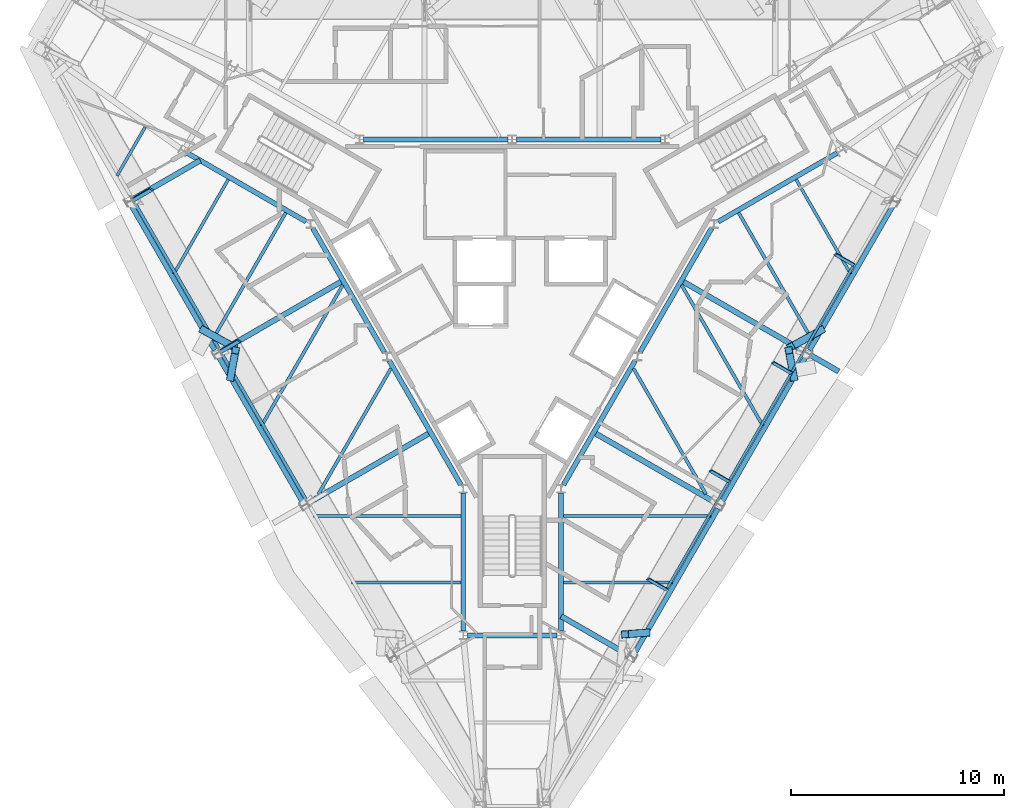
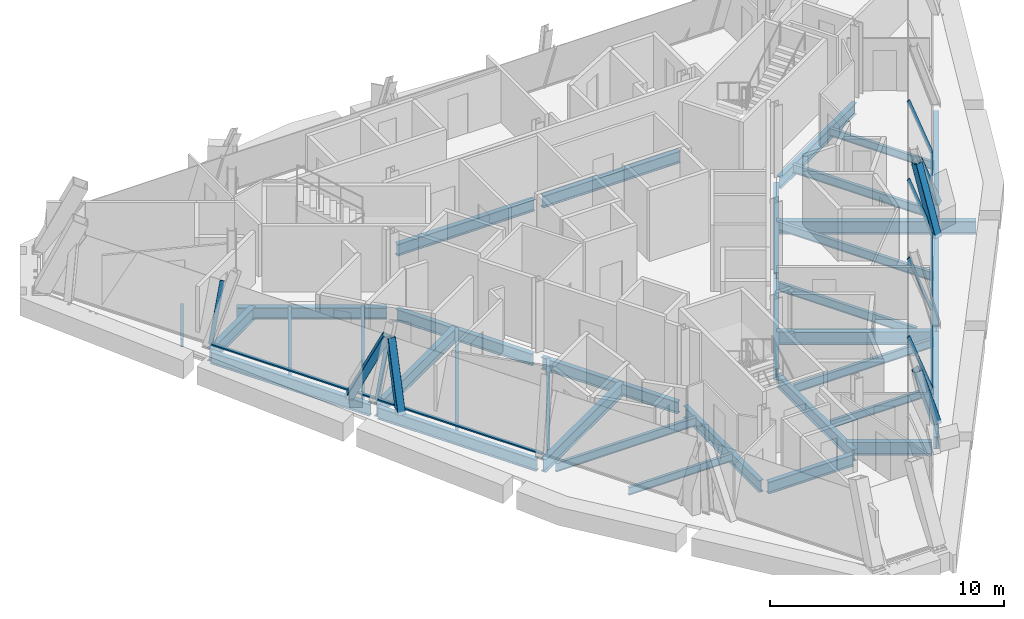
# One storey, part 2 of 13: 36 beams, 16 members, 2 elements without a shape of their own.
"""IFC4 building model written with IfcOpenShell, lengths in metres."""

from ifc_helpers import new_model, si_unit, direction, frame, origin, origin_2d, place, context, subcontext, project, spatial, rectangle, hollow_rectangle, i_section, extrude, material, material_profile, profile_set, type_object, element, aggregate, save


model = new_model("IFC4")

# Units and contexts
model_context = context("Model", 3, precision=1e-05, world=origin(), true_north=direction((0.0, 1.0)))
body_context = subcontext(model_context, "Body", "Model", "MODEL_VIEW")
ifc_project = project(units=[si_unit("LENGTHUNIT", "METRE"), si_unit("AREAUNIT", "SQUARE_METRE"), si_unit("VOLUMEUNIT", "CUBIC_METRE"), si_unit("PLANEANGLEUNIT", "RADIAN"), si_unit("MASSUNIT", "GRAM", prefix="KILO")], contexts=[model_context])

# Site, building, storey
site_placement = place(None, origin())
site = spatial("IfcSite", under=ifc_project, at=site_placement, CompositionType="ELEMENT")
building_placement = place(site_placement, origin())
building = spatial("IfcBuilding", under=site, at=building_placement, Name="Verrane Prism Tower", CompositionType="ELEMENT")
storey_placement = place(building_placement, frame((0.0, 0.0, 304.699951171875)))
storey = spatial("IfcBuildingStorey", under=building, at=storey_placement, Name="L77", CompositionType="ELEMENT", Elevation=304.699951171875)

# Beams
ifc_material_1 = material(Name="Steel A992", Category="steel")
ifc_material_profile_1 = material_profile(ifc_material_1, i_section(OverallWidth=0.23046875, OverallDepth=0.6171875, WebThickness=0.01318359375, FlangeThickness=0.022216796875, FilletRadius=0.012939453125, at=origin_2d()), Name="W24x94")
ifc_profile_set_1 = profile_set([ifc_material_profile_1], Name="Steel A992")
beam_type_1 = type_object("IfcBeamType", Name="Core ring girder W24x94", PredefinedType="BEAM", material=ifc_profile_set_1)
beam_1_placement = place(storey_placement, frame((9.679443359375, 2.93505859375, -0.55859375), z_axis=(0.866080992722, 0.499903704773, 0.0), x_axis=(-0.499903704773, 0.866080992722, 0.0)))
element("IfcBeam", 1, at=beam_1_placement, inside=storey, type_object=beam_type_1, Name="Core ring girder L77", PredefinedType="BEAM", context=body_context, shape_type="SweptSolid", body=[
    extrude(i_section(OverallWidth=0.23046875, OverallDepth=0.6171875, WebThickness=0.01318359375, FlangeThickness=0.022216796875, FilletRadius=0.012939453125, at=origin_2d()), origin(), (0.0, 0.0, 1.0), 6.451904296875),
])
for number, where, z_axis, x_axis, name in (
    (2, (6.980712890625, 6.800048828125, -0.55859375), (-1.0, 0.0, 0.0), (0.0, -1.0, 0.0), "Core ring girder L77"),
    (3, (-0.199462890625, 6.800048828125, -0.55859375), (-1.0, 0.0, 0.0), (0.0, -1.0, 0.0), "Core ring girder L77"),
):
    element("IfcBeam", number, at=place(storey_placement, frame(where, z_axis=z_axis, x_axis=x_axis)), inside=storey, type_object=beam_type_1, Name=name, PredefinedType="BEAM", context=body_context, shape_type="SweptSolid", body=[
        extrude(i_section(OverallWidth=0.23046875, OverallDepth=0.6171875, WebThickness=0.01318359375, FlangeThickness=0.022216796875, FilletRadius=0.012939453125, at=origin_2d()), origin(), (0.0, 0.0, 1.0), 6.78125),
    ])
beam_2_placement = place(storey_placement, frame((-15.267333984375, 6.160400390625, -0.55859375), z_axis=(0.866080992722, -0.499903704773, 0.0), x_axis=(0.499903704773, 0.866080992722, 0.0)))
element("IfcBeam", 4, at=beam_2_placement, inside=storey, type_object=beam_type_1, Name="Core ring girder L77", PredefinedType="BEAM", context=body_context, shape_type="SweptSolid", body=[
    extrude(i_section(OverallWidth=0.23046875, OverallDepth=0.6171875, WebThickness=0.01318359375, FlangeThickness=0.022216796875, FilletRadius=0.012939453125, at=origin_2d()), origin(), (0.0, 0.0, 1.0), 6.451904296875),
])
for number, where, z_axis, x_axis, name in (
    (5, (-9.36865234375, 2.626953125, -0.55859375), (0.499881421193, -0.866093854468, 0.0), (0.866093854468, 0.499881421193, 0.0), "Core ring girder L77"),
    (6, (-5.778564453125, -3.593017578125, -0.55859375), (0.499881421193, -0.866093854468, 0.0), (0.866093854468, 0.499881421193, 0.0), "Core ring girder L77"),
):
    element("IfcBeam", number, at=place(storey_placement, frame(where, z_axis=z_axis, x_axis=x_axis)), inside=storey, type_object=beam_type_1, Name=name, PredefinedType="BEAM", context=body_context, shape_type="SweptSolid", body=[
        extrude(i_section(OverallWidth=0.23046875, OverallDepth=0.6171875, WebThickness=0.01318359375, FlangeThickness=0.022216796875, FilletRadius=0.012939453125, at=origin_2d()), origin(), (0.0, 0.0, 1.0), 6.736083984375),
    ])
beam_3_placement = place(storey_placement, frame((-2.300048828125, -9.81298828125, -0.55859375), z_axis=(0.0, -1.0, 0.0), x_axis=(1.0, 0.0, 0.0)))
element("IfcBeam", 7, at=beam_3_placement, inside=storey, type_object=beam_type_1, Name="Core ring girder L77", PredefinedType="BEAM", context=body_context, shape_type="SweptSolid", body=[
    extrude(i_section(OverallWidth=0.23046875, OverallDepth=0.6171875, WebThickness=0.01318359375, FlangeThickness=0.022216796875, FilletRadius=0.012939453125, at=origin_2d()), origin(), (0.0, 0.0, 1.0), 6.487548828125),
])
beam_4_placement = place(storey_placement, frame((-2.099365234375, -16.5, -0.55859375), z_axis=(1.0, 0.0, 0.0), x_axis=(0.0, 1.0, 0.0)))
element("IfcBeam", 8, at=beam_4_placement, inside=storey, type_object=beam_type_1, Name="Core ring girder L77", PredefinedType="BEAM", context=body_context, shape_type="SweptSolid", body=[
    extrude(i_section(OverallWidth=0.23046875, OverallDepth=0.6171875, WebThickness=0.01318359375, FlangeThickness=0.022216796875, FilletRadius=0.012939453125, at=origin_2d()), origin(), (0.0, 0.0, 1.0), 4.19873046875),
])
beam_5_placement = place(storey_placement, frame((2.300048828125, -16.300537109375, -0.55859375), z_axis=(0.0, 1.0, 0.0), x_axis=(-1.0, 0.0, 0.0)))
element("IfcBeam", 9, at=beam_5_placement, inside=storey, type_object=beam_type_1, Name="Core ring girder L77", PredefinedType="BEAM", context=body_context, shape_type="SweptSolid", body=[
    extrude(i_section(OverallWidth=0.23046875, OverallDepth=0.6171875, WebThickness=0.01318359375, FlangeThickness=0.022216796875, FilletRadius=0.012939453125, at=origin_2d()), origin(), (0.0, 0.0, 1.0), 6.487548828125),
])
for number, where, z_axis, x_axis, name in (
    (10, (2.411376953125, -9.427001953125, -0.55859375), (0.499881421193, 0.866093854468, 0.0), (-0.866093854468, 0.499881421193, 0.0), "Core ring girder L77"),
    (11, (6.00146484375, -3.20703125, -0.55859375), (0.499881421193, 0.866093854468, 0.0), (-0.866093854468, 0.499881421193, 0.0), "Core ring girder L77"),
):
    element("IfcBeam", number, at=place(storey_placement, frame(where, z_axis=z_axis, x_axis=x_axis)), inside=storey, type_object=beam_type_1, Name=name, PredefinedType="BEAM", context=body_context, shape_type="SweptSolid", body=[
        extrude(i_section(OverallWidth=0.23046875, OverallDepth=0.6171875, WebThickness=0.01318359375, FlangeThickness=0.022216796875, FilletRadius=0.012939453125, at=origin_2d()), origin(), (0.0, 0.0, 1.0), 6.736083984375),
    ])

# Members
ifc_material_2 = material(Name="Steel A500 Grade C", Category="steel")
ifc_material_profile_2 = material_profile(ifc_material_2, hollow_rectangle(XDim=0.355712890625, YDim=0.355712890625, WallThickness=0.0126953125, InnerFilletRadius=0.00634765625, OuterFilletRadius=0.01904296875, at=origin_2d()), Name="HSS14x14x1/2")
ifc_profile_set_2 = profile_set([ifc_material_profile_2], Name="Steel A500 Grade C")
member_type_1 = type_object("IfcMemberType", Name="Facade brace HSS14x14x1/2", PredefinedType="BRACE", material=ifc_profile_set_2)
member_1_placement = place(storey_placement, frame((-14.511962890625, -2.164794921875, -0.216552734375), z_axis=(0.395707878262, -0.218417696763, 0.892025215351), x_axis=(0.483240349585, 0.875487729516, 0.0)))
element("IfcMember", 12, at=member_1_placement, inside=storey, type_object=member_type_1, Name="Facade brace SW1 L77", PredefinedType="BRACE", context=body_context, shape_type="SweptSolid", body=[
    extrude(hollow_rectangle(XDim=0.355712890625, YDim=0.355712890625, WallThickness=0.0126953125, InnerFilletRadius=0.00634765625, OuterFilletRadius=0.01904296875, at=origin_2d()), origin(), (0.0, 0.0, 1.0), 3.59130859375),
])
member_2_placement = place(storey_placement, frame((-13.232177734375, -4.38134765625, -0.216552734375), z_axis=(0.068394426235, 0.368479401034, 0.927116569517), x_axis=(-0.983206676507, 0.182495565076, 0.0)))
element("IfcMember", 13, at=member_2_placement, inside=storey, type_object=member_type_1, Name="Facade brace SW2 L77", PredefinedType="BRACE", context=body_context, shape_type="SweptSolid", body=[
    extrude(hollow_rectangle(XDim=0.355712890625, YDim=0.355712890625, WallThickness=0.0126953125, InnerFilletRadius=0.00634765625, OuterFilletRadius=0.01904296875, at=origin_2d()), origin(), (0.0, 0.0, 1.0), 3.444580078125),
])
member_3_placement = place(storey_placement, frame((6.30419921875, -16.37890625, -0.216552734375), z_axis=(-0.301518522135, -0.022204852405, 0.953201723319), x_axis=(0.073444522401, -0.997299304186, 0.0)))
element("IfcMember", 14, at=member_3_placement, inside=storey, type_object=member_type_1, Name="Facade brace SE1 L77", PredefinedType="BRACE", context=body_context, shape_type="SweptSolid", body=[
    extrude(hollow_rectangle(XDim=0.355712890625, YDim=0.355712890625, WallThickness=0.0126953125, InnerFilletRadius=0.00634765625, OuterFilletRadius=0.01904296875, at=origin_2d()), origin(), (0.0, 0.0, 1.0), 3.342529296875),
])
member_4_placement = place(storey_placement, frame((13.232177734375, -4.38134765625, -0.216552734375), z_axis=(-0.068394426235, 0.368479401034, 0.927116569517), x_axis=(-0.983206676507, -0.182495565076, 0.0)))
element("IfcMember", 15, at=member_4_placement, inside=storey, type_object=member_type_1, Name="Facade brace SE2 L77", PredefinedType="BRACE", context=body_context, shape_type="SweptSolid", body=[
    extrude(hollow_rectangle(XDim=0.355712890625, YDim=0.355712890625, WallThickness=0.0126953125, InnerFilletRadius=0.00634765625, OuterFilletRadius=0.01904296875, at=origin_2d()), origin(), (0.0, 0.0, 1.0), 3.444580078125),
])
member_5_placement = place(storey_placement, frame((14.511962890625, -2.164794921875, -0.216552734375), z_axis=(-0.395707878262, -0.218417696763, 0.892025215351), x_axis=(0.483240349585, -0.875487729516, 0.0)))
element("IfcMember", 16, at=member_5_placement, inside=storey, type_object=member_type_1, Name="Facade brace SE3 L77", PredefinedType="BRACE", context=body_context, shape_type="SweptSolid", body=[
    extrude(hollow_rectangle(XDim=0.355712890625, YDim=0.355712890625, WallThickness=0.0126953125, InnerFilletRadius=0.00634765625, OuterFilletRadius=0.01904296875, at=origin_2d()), origin(), (0.0, 0.0, 1.0), 3.59130859375),
])

# Beams
ifc_material_3 = material(Name="Steel A992", Category="steel")
ifc_material_profile_3 = material_profile(ifc_material_3, i_section(OverallWidth=0.140380859375, OverallDepth=0.40380859375, WebThickness=0.007080078125, FlangeThickness=0.01123046875, FilletRadius=0.01025390625, at=origin_2d()), Name="W16x31")
ifc_profile_set_3 = profile_set([ifc_material_profile_3], Name="Steel A992")
beam_type_2 = type_object("IfcBeamType", Name="Floor beam W16x31", PredefinedType="BEAM", material=ifc_profile_set_3)
beam_6_placement = place(storey_placement, frame((-18.565185546875, 5.089599609375, -0.36181640625), z_axis=(0.49994082229, 0.866059567356, 0.0), x_axis=(-0.866059567356, 0.49994082229, 0.0)))
element("IfcBeam", 17, at=beam_6_placement, inside=storey, type_object=beam_type_2, Name="Floor beam L77", PredefinedType="BEAM", context=body_context, shape_type="SweptSolid", body=[
    extrude(i_section(OverallWidth=0.140380859375, OverallDepth=0.40380859375, WebThickness=0.007080078125, FlangeThickness=0.01123046875, FilletRadius=0.01025390625, at=origin_2d()), origin(), (0.0, 0.0, 1.0), 2.645263671875),
])
beam_7_placement = place(storey_placement, frame((-15.902099609375, 0.474609375, -0.36181640625), z_axis=(0.500011000363, 0.866019052629, 0.0), x_axis=(-0.866019052629, 0.500011000363, 0.0)))
element("IfcBeam", 18, at=beam_7_placement, inside=storey, type_object=beam_type_2, Name="Floor beam L77", PredefinedType="BEAM", context=body_context, shape_type="SweptSolid", body=[
    extrude(i_section(OverallWidth=0.140380859375, OverallDepth=0.40380859375, WebThickness=0.007080078125, FlangeThickness=0.01123046875, FilletRadius=0.01025390625, at=origin_2d()), origin(), (0.0, 0.0, 1.0), 5.126953125),
])
for number, where, z_axis, x_axis, name in (
    (19, (-7.538330078125, -14.010009765625, -0.36181640625), (1.0, 0.0, 0.0), (0.0, 1.0, 0.0), "Floor beam L77"),
    (20, (2.4150390625, -14.010009765625, -0.36181640625), (1.0, 0.0, 0.0), (0.0, 1.0, 0.0), "Floor beam L77"),
):
    element("IfcBeam", number, at=place(storey_placement, frame(where, z_axis=z_axis, x_axis=x_axis)), inside=storey, type_object=beam_type_2, Name=name, PredefinedType="BEAM", context=body_context, shape_type="SweptSolid", body=[
        extrude(i_section(OverallWidth=0.140380859375, OverallDepth=0.40380859375, WebThickness=0.007080078125, FlangeThickness=0.01123046875, FilletRadius=0.01025390625, at=origin_2d()), origin(), (0.0, 0.0, 1.0), 5.123291015625),
    ])
beam_8_placement = place(storey_placement, frame((15.902099609375, 0.474609375, -0.36181640625), z_axis=(-0.500011000363, 0.866019052629, 0.0), x_axis=(-0.866019052629, -0.500011000363, 0.0)))
element("IfcBeam", 21, at=beam_8_placement, inside=storey, type_object=beam_type_2, Name="Floor beam L77", PredefinedType="BEAM", context=body_context, shape_type="SweptSolid", body=[
    extrude(i_section(OverallWidth=0.140380859375, OverallDepth=0.40380859375, WebThickness=0.007080078125, FlangeThickness=0.01123046875, FilletRadius=0.01025390625, at=origin_2d()), origin(), (0.0, 0.0, 1.0), 5.126953125),
])
ifc_material_4 = material(Name="Steel A992", Category="steel")
ifc_material_profile_4 = material_profile(ifc_material_4, i_section(OverallWidth=0.15234375, OverallDepth=0.449462890625, WebThickness=0.007568359375, FlangeThickness=0.0107421875, FilletRadius=0.01025390625, at=origin_2d()), Name="W18x35")
ifc_profile_set_4 = profile_set([ifc_material_profile_4], Name="Steel A992")
beam_type_3 = type_object("IfcBeamType", Name="Floor beam W18x35", PredefinedType="BEAM", material=ifc_profile_set_4)
beam_9_placement = place(storey_placement, frame((-14.1015625, -2.64599609375, -0.384765625), z_axis=(0.49999287541, 0.866029517129, 0.0), x_axis=(-0.866029517129, 0.49999287541, 0.0)))
element("IfcBeam", 22, at=beam_9_placement, inside=storey, type_object=beam_type_3, Name="Floor beam L77", PredefinedType="BEAM", context=body_context, shape_type="SweptSolid", body=[
    extrude(i_section(OverallWidth=0.15234375, OverallDepth=0.449462890625, WebThickness=0.007568359375, FlangeThickness=0.0107421875, FilletRadius=0.01025390625, at=origin_2d()), origin(), (0.0, 0.0, 1.0), 6.92919921875),
])
beam_10_placement = place(storey_placement, frame((-9.103271484375, -9.864501953125, -0.384765625), z_axis=(0.49999337185, 0.866029230515, 0.0), x_axis=(-0.866029230515, 0.49999337185, 0.0)))
element("IfcBeam", 23, at=beam_10_placement, inside=storey, type_object=beam_type_3, Name="Floor beam L77", PredefinedType="BEAM", context=body_context, shape_type="SweptSolid", body=[
    extrude(i_section(OverallWidth=0.15234375, OverallDepth=0.449462890625, WebThickness=0.007568359375, FlangeThickness=0.0107421875, FilletRadius=0.01025390625, at=origin_2d()), origin(), (0.0, 0.0, 1.0), 6.8125),
])
beam_11_placement = place(storey_placement, frame((-11.78076171875, -6.6630859375, -0.384765625), z_axis=(0.499997113229, 0.866027070456, 0.0), x_axis=(-0.866027070456, 0.499997113229, 0.0)))
element("IfcBeam", 24, at=beam_11_placement, inside=storey, type_object=beam_type_3, Name="Floor beam L77", PredefinedType="BEAM", context=body_context, shape_type="SweptSolid", body=[
    extrude(i_section(OverallWidth=0.15234375, OverallDepth=0.449462890625, WebThickness=0.007568359375, FlangeThickness=0.0107421875, FilletRadius=0.01025390625, at=origin_2d()), origin(), (0.0, 0.0, 1.0), 7.64306640625),
])
for number, where, z_axis, x_axis, name in (
    (25, (-9.338623046875, -10.889892578125, -0.384765625), (1.0, 0.0, 0.0), (0.0, 1.0, 0.0), "Floor beam L77"),
    (26, (2.4150390625, -10.889892578125, -0.384765625), (1.0, 0.0, 0.0), (0.0, 1.0, 0.0), "Floor beam L77"),
):
    element("IfcBeam", number, at=place(storey_placement, frame(where, z_axis=z_axis, x_axis=x_axis)), inside=storey, type_object=beam_type_3, Name=name, PredefinedType="BEAM", context=body_context, shape_type="SweptSolid", body=[
        extrude(i_section(OverallWidth=0.15234375, OverallDepth=0.449462890625, WebThickness=0.007568359375, FlangeThickness=0.0107421875, FilletRadius=0.01025390625, at=origin_2d()), origin(), (0.0, 0.0, 1.0), 6.923583984375),
    ])
beam_12_placement = place(storey_placement, frame((11.78076171875, -6.6630859375, -0.384765625), z_axis=(-0.499997113229, 0.866027070456, 0.0), x_axis=(-0.866027070456, -0.499997113229, 0.0)))
element("IfcBeam", 27, at=beam_12_placement, inside=storey, type_object=beam_type_3, Name="Floor beam L77", PredefinedType="BEAM", context=body_context, shape_type="SweptSolid", body=[
    extrude(i_section(OverallWidth=0.15234375, OverallDepth=0.449462890625, WebThickness=0.007568359375, FlangeThickness=0.0107421875, FilletRadius=0.01025390625, at=origin_2d()), origin(), (0.0, 0.0, 1.0), 7.64306640625),
])
beam_13_placement = place(storey_placement, frame((9.103271484375, -9.864501953125, -0.384765625), z_axis=(-0.49999337185, 0.866029230515, 0.0), x_axis=(-0.866029230515, -0.49999337185, 0.0)))
element("IfcBeam", 28, at=beam_13_placement, inside=storey, type_object=beam_type_3, Name="Floor beam L77", PredefinedType="BEAM", context=body_context, shape_type="SweptSolid", body=[
    extrude(i_section(OverallWidth=0.15234375, OverallDepth=0.449462890625, WebThickness=0.007568359375, FlangeThickness=0.0107421875, FilletRadius=0.01025390625, at=origin_2d()), origin(), (0.0, 0.0, 1.0), 6.8125),
])
beam_14_placement = place(storey_placement, frame((14.1015625, -2.64599609375, -0.384765625), z_axis=(-0.49999287541, 0.866029517129, 0.0), x_axis=(-0.866029517129, -0.49999287541, 0.0)))
element("IfcBeam", 29, at=beam_14_placement, inside=storey, type_object=beam_type_3, Name="Floor beam L77", PredefinedType="BEAM", context=body_context, shape_type="SweptSolid", body=[
    extrude(i_section(OverallWidth=0.15234375, OverallDepth=0.449462890625, WebThickness=0.007568359375, FlangeThickness=0.0107421875, FilletRadius=0.01025390625, at=origin_2d()), origin(), (0.0, 0.0, 1.0), 6.92919921875),
])

# Curtain wall, members
ifc_material_5 = material(Name="Aluminium framed insulated glazing", Category="aluminium")
curtain_wall_type_1 = type_object("IfcCurtainWallType", Name="Curtain wall CW-B 5600 module", PredefinedType="NOTDEFINED", material=ifc_material_5)
curtain_wall_1_placement = place(storey_placement, origin())
curtain_wall_1 = element("IfcCurtainWall", 30, at=curtain_wall_1_placement, inside=storey, type_object=curtain_wall_type_1, Name="Glazed curtain wall south-east face L77", PredefinedType="NOTDEFINED")
ifc_material_6 = material(Name="Aluminium alloy 6063-T6", Category="aluminium")
ifc_material_profile_5 = material_profile(ifc_material_6, rectangle(XDim=0.159912109375, YDim=0.06005859375, at=origin_2d()), Name="Mullion 60x160 aluminium")
ifc_profile_set_5 = profile_set([ifc_material_profile_5], Name="Aluminium alloy 6063-T6")
member_type_2 = type_object("IfcMemberType", Name="Mullion 60x160 aluminium", PredefinedType="MULLION", material=ifc_profile_set_5)
member_6_placement = place(storey_placement, frame((7.242919921875, -14.349365234375, 0.0), z_axis=(-0.298513159527, 0.172358317088, 0.938713217186), x_axis=(0.839503041677, 0.515296184239, 0.17234989273)))
member_6 = element("IfcMember", 31, at=member_6_placement, type_object=member_type_2, Name="CW75.6 mullion 3", PredefinedType="MULLION", context=body_context, shape_type="SweptSolid", body=[
    extrude(rectangle(XDim=0.159912109375, YDim=0.06005859375, at=origin_2d()), origin(), (0.0, 0.0, 1.0), 2.90087890625),
])
member_7_placement = place(storey_placement, frame((10.177978515625, -9.265625, 0.0), z_axis=(-0.298513159527, 0.172358317088, 0.938713217186), x_axis=(0.839503041677, 0.515296184239, 0.17234989273)))
member_7 = element("IfcMember", 32, at=member_7_placement, type_object=member_type_2, Name="CW75.6 mullion 4", PredefinedType="MULLION", context=body_context, shape_type="SweptSolid", body=[
    extrude(rectangle(XDim=0.159912109375, YDim=0.06005859375, at=origin_2d()), origin(), (0.0, 0.0, 1.0), 2.90087890625),
])
member_8_placement = place(storey_placement, frame((13.11328125, -4.181640625, 0.0), z_axis=(-0.298513159527, 0.172358317088, 0.938713217186), x_axis=(0.839503041677, 0.515296184239, 0.17234989273)))
member_8 = element("IfcMember", 33, at=member_8_placement, type_object=member_type_2, Name="CW75.6 mullion 5", PredefinedType="MULLION", context=body_context, shape_type="SweptSolid", body=[
    extrude(rectangle(XDim=0.159912109375, YDim=0.06005859375, at=origin_2d()), origin(), (0.0, 0.0, 1.0), 2.90087890625),
])
member_9_placement = place(storey_placement, frame((16.04833984375, 0.902099609375, 0.0), z_axis=(-0.298513159527, 0.172358317088, 0.938713217186), x_axis=(0.839503041677, 0.515296184239, 0.17234989273)))
member_9 = element("IfcMember", 34, at=member_9_placement, type_object=member_type_2, Name="CW75.6 mullion 6", PredefinedType="MULLION", context=body_context, shape_type="SweptSolid", body=[
    extrude(rectangle(XDim=0.159912109375, YDim=0.06005859375, at=origin_2d()), origin(), (0.0, 0.0, 1.0), 2.90087890625),
])

ifc_material_7 = material(Name="Aluminium framed insulated glazing", Category="aluminium")
curtain_wall_type_2 = type_object("IfcCurtainWallType", Name="Curtain wall CW-A 8400 module", PredefinedType="NOTDEFINED", material=ifc_material_7)
curtain_wall_2_placement = place(storey_placement, origin())
curtain_wall_2 = element("IfcCurtainWall", 35, at=curtain_wall_2_placement, inside=storey, type_object=curtain_wall_type_2, Name="Glazed curtain wall south-west face L77", PredefinedType="NOTDEFINED")
ifc_material_8 = material(Name="Aluminium alloy 6063-T6", Category="aluminium")
ifc_material_profile_6 = material_profile(ifc_material_8, rectangle(XDim=0.199951171875, YDim=0.070068359375, at=origin_2d()), Name="Mullion 70x200 aluminium")
ifc_profile_set_6 = profile_set([ifc_material_profile_6], Name="Aluminium alloy 6063-T6")
member_type_3 = type_object("IfcMemberType", Name="Mullion 70x200 aluminium", PredefinedType="MULLION", material=ifc_profile_set_6)
member_10_placement = place(storey_placement, frame((-17.8095703125, 3.952392578125, 0.0), z_axis=(0.298589816525, 0.17235398654, 0.938689631769), x_axis=(-0.83942992662, 0.515404542954, 0.172382004274)))
member_10 = element("IfcMember", 36, at=member_10_placement, type_object=member_type_3, Name="CW75.4 mullion 2", PredefinedType="MULLION", context=body_context, shape_type="SweptSolid", body=[
    extrude(rectangle(XDim=0.199951171875, YDim=0.070068359375, at=origin_2d()), origin(), (0.0, 0.0, 1.0), 2.901123046875),
])
member_11_placement = place(storey_placement, frame((-13.7001953125, -3.1650390625, 0.0), z_axis=(0.298508828463, 0.172439974491, 0.938699597596), x_axis=(-0.839606066748, 0.515122096919, 0.17236843663)))
member_11 = element("IfcMember", 37, at=member_11_placement, type_object=member_type_3, Name="CW75.4 mullion 3", PredefinedType="MULLION", context=body_context, shape_type="SweptSolid", body=[
    extrude(rectangle(XDim=0.199951171875, YDim=0.070068359375, at=origin_2d()), origin(), (0.0, 0.0, 1.0), 2.90087890625),
])

# Beams
ifc_material_9 = material(Name="Steel A992", Category="steel")
ifc_material_profile_7 = material_profile(ifc_material_9, i_section(OverallWidth=0.25390625, OverallDepth=0.683349609375, WebThickness=0.012451171875, FlangeThickness=0.01904296875, FilletRadius=0.01513671875, at=origin_2d()), Name="W27x94")
ifc_profile_set_7 = profile_set([ifc_material_profile_7], Name="Steel A992")
beam_type_4 = type_object("IfcBeamType", Name="Radial girder W27x94", PredefinedType="BEAM", material=ifc_profile_set_7)
beam_15_placement = place(storey_placement, frame((-17.840576171875, 3.97216796875, -0.5615234375), z_axis=(0.866042841795, 0.499969795263, 0.0), x_axis=(-0.499969795263, 0.866042841795, 0.0)))
element("IfcBeam", 38, at=beam_15_placement, inside=storey, type_object=beam_type_4, Name="Radial girder L77", PredefinedType="BEAM", context=body_context, shape_type="SweptSolid", body=[
    extrude(i_section(OverallWidth=0.25390625, OverallDepth=0.683349609375, WebThickness=0.012451171875, FlangeThickness=0.01904296875, FilletRadius=0.01513671875, at=origin_2d()), origin(), (0.0, 0.0, 1.0), 3.674072265625),
])
beam_16_placement = place(storey_placement, frame((-13.720458984375, -3.16796875, -0.5615234375), z_axis=(0.866025791777, 0.499999327977, 0.0), x_axis=(-0.499999327977, 0.866025791777, 0.0)))
element("IfcBeam", 39, at=beam_16_placement, inside=storey, type_object=beam_type_4, Name="Radial girder L77", PredefinedType="BEAM", context=body_context, shape_type="SweptSolid", body=[
    extrude(i_section(OverallWidth=0.25390625, OverallDepth=0.683349609375, WebThickness=0.012451171875, FlangeThickness=0.01904296875, FilletRadius=0.01513671875, at=origin_2d()), origin(), (0.0, 0.0, 1.0), 6.666015625),
])
beam_17_placement = place(storey_placement, frame((-9.6005859375, -10.2978515625, -0.5615234375), z_axis=(0.866031183428, 0.49998998923, 0.0), x_axis=(-0.49998998923, 0.866031183428, 0.0)))
element("IfcBeam", 40, at=beam_17_placement, inside=storey, type_object=beam_type_4, Name="Radial girder L77", PredefinedType="BEAM", context=body_context, shape_type="SweptSolid", body=[
    extrude(i_section(OverallWidth=0.25390625, OverallDepth=0.683349609375, WebThickness=0.012451171875, FlangeThickness=0.01904296875, FilletRadius=0.01513671875, at=origin_2d()), origin(), (0.0, 0.0, 1.0), 6.661865234375),
])
beam_18_placement = place(storey_placement, frame((5.48046875, -17.43798828125, -0.5615234375), z_axis=(-0.866029490193, 0.499992922065, 0.0), x_axis=(-0.499992922065, -0.866029490193, 0.0)))
element("IfcBeam", 41, at=beam_18_placement, inside=storey, type_object=beam_type_4, Name="Radial girder L77", PredefinedType="BEAM", context=body_context, shape_type="SweptSolid", body=[
    extrude(i_section(OverallWidth=0.25390625, OverallDepth=0.683349609375, WebThickness=0.012451171875, FlangeThickness=0.01904296875, FilletRadius=0.01513671875, at=origin_2d()), origin(), (0.0, 0.0, 1.0), 3.67236328125),
])
beam_19_placement = place(storey_placement, frame((9.6005859375, -10.2978515625, -0.5615234375), z_axis=(-0.866031183428, 0.49998998923, 0.0), x_axis=(-0.49998998923, -0.866031183428, 0.0)))
element("IfcBeam", 42, at=beam_19_placement, inside=storey, type_object=beam_type_4, Name="Radial girder L77", PredefinedType="BEAM", context=body_context, shape_type="SweptSolid", body=[
    extrude(i_section(OverallWidth=0.25390625, OverallDepth=0.683349609375, WebThickness=0.012451171875, FlangeThickness=0.01904296875, FilletRadius=0.01513671875, at=origin_2d()), origin(), (0.0, 0.0, 1.0), 6.661865234375),
])
beam_20_placement = place(storey_placement, frame((13.720458984375, -3.16796875, -0.5615234375), z_axis=(-0.866025791777, 0.499999327977, 0.0), x_axis=(-0.499999327977, -0.866025791777, 0.0)))
element("IfcBeam", 43, at=beam_20_placement, inside=storey, type_object=beam_type_4, Name="Radial girder L77", PredefinedType="BEAM", context=body_context, shape_type="SweptSolid", body=[
    extrude(i_section(OverallWidth=0.25390625, OverallDepth=0.683349609375, WebThickness=0.012451171875, FlangeThickness=0.01904296875, FilletRadius=0.01513671875, at=origin_2d()), origin(), (0.0, 0.0, 1.0), 6.666015625),
])
beam_21_placement = place(storey_placement, frame((14.035888671875, -3.35009765625, -0.5615234375), z_axis=(0.86607463192, -0.499914724673, 0.0), x_axis=(0.499914724673, 0.86607463192, 0.0)))
element("IfcBeam", 44, at=beam_21_placement, inside=storey, type_object=beam_type_4, Name="Cantilever girder L77", PredefinedType="BEAM", context=body_context, shape_type="SweptSolid", body=[
    extrude(i_section(OverallWidth=0.25390625, OverallDepth=0.683349609375, WebThickness=0.012451171875, FlangeThickness=0.01904296875, FilletRadius=0.01513671875, at=origin_2d()), origin(), (0.0, 0.0, 1.0), 1.502197265625),
])
ifc_material_10 = material(Name="Steel A992", Category="steel")
ifc_material_profile_8 = material_profile(ifc_material_10, i_section(OverallWidth=0.23046875, OverallDepth=0.6171875, WebThickness=0.01318359375, FlangeThickness=0.022216796875, FilletRadius=0.012939453125, at=origin_2d()), Name="W24x94")
ifc_profile_set_8 = profile_set([ifc_material_profile_8], Name="Steel A992")
beam_type_5 = type_object("IfcBeamType", Name="Spandrel beam W24x94", PredefinedType="SPANDREL", material=ifc_profile_set_8)
beam_22_placement = place(storey_placement, frame((-17.90673828125, 3.71826171875, -0.468505859375), z_axis=(0.499786009893, -0.866148915785, 0.0), x_axis=(0.866148915785, 0.499786009893, 0.0)))
element("IfcBeam", 45, at=beam_22_placement, inside=storey, type_object=beam_type_5, Name="Spandrel beam L77", PredefinedType="SPANDREL", context=body_context, shape_type="SweptSolid", body=[
    extrude(i_section(OverallWidth=0.23046875, OverallDepth=0.6171875, WebThickness=0.01318359375, FlangeThickness=0.022216796875, FilletRadius=0.012939453125, at=origin_2d()), origin(), (0.0, 0.0, 1.0), 7.8701171875),
])
beam_23_placement = place(storey_placement, frame((-13.78662109375, -3.421630859375, -0.468505859375), z_axis=(0.500300363133, -0.865851919585, 0.0), x_axis=(0.865851919585, 0.500300363133, 0.0)))
element("IfcBeam", 46, at=beam_23_placement, inside=storey, type_object=beam_type_5, Name="Spandrel beam L77", PredefinedType="SPANDREL", context=body_context, shape_type="SweptSolid", body=[
    extrude(i_section(OverallWidth=0.23046875, OverallDepth=0.6171875, WebThickness=0.01318359375, FlangeThickness=0.022216796875, FilletRadius=0.012939453125, at=origin_2d()), origin(), (0.0, 0.0, 1.0), 7.861572265625),
])
beam_24_placement = place(storey_placement, frame((5.7333984375, -17.368408203125, -0.468505859375), z_axis=(0.499786009893, 0.866148915785, 0.0), x_axis=(-0.866148915785, 0.499786009893, 0.0)))
element("IfcBeam", 47, at=beam_24_placement, inside=storey, type_object=beam_type_5, Name="Spandrel beam L77", PredefinedType="SPANDREL", context=body_context, shape_type="SweptSolid", body=[
    extrude(i_section(OverallWidth=0.23046875, OverallDepth=0.6171875, WebThickness=0.01318359375, FlangeThickness=0.022216796875, FilletRadius=0.012939453125, at=origin_2d()), origin(), (0.0, 0.0, 1.0), 7.8701171875),
])
beam_25_placement = place(storey_placement, frame((9.853515625, -10.228515625, -0.468505859375), z_axis=(0.500300363133, 0.865851919585, 0.0), x_axis=(-0.865851919585, 0.500300363133, 0.0)))
element("IfcBeam", 48, at=beam_25_placement, inside=storey, type_object=beam_type_5, Name="Spandrel beam L77", PredefinedType="SPANDREL", context=body_context, shape_type="SweptSolid", body=[
    extrude(i_section(OverallWidth=0.23046875, OverallDepth=0.6171875, WebThickness=0.01318359375, FlangeThickness=0.022216796875, FilletRadius=0.012939453125, at=origin_2d()), origin(), (0.0, 0.0, 1.0), 7.861572265625),
])
beam_26_placement = place(storey_placement, frame((13.973388671875, -3.098388671875, -0.468505859375), z_axis=(0.499786009893, 0.866148915785, 0.0), x_axis=(-0.866148915785, 0.499786009893, 0.0)))
element("IfcBeam", 49, at=beam_26_placement, inside=storey, type_object=beam_type_5, Name="Spandrel beam L77", PredefinedType="SPANDREL", context=body_context, shape_type="SweptSolid", body=[
    extrude(i_section(OverallWidth=0.23046875, OverallDepth=0.6171875, WebThickness=0.01318359375, FlangeThickness=0.022216796875, FilletRadius=0.012939453125, at=origin_2d()), origin(), (0.0, 0.0, 1.0), 7.8701171875),
])

# Member
ifc_material_11 = material(Name="Aluminium alloy 6063-T6", Category="aluminium")
ifc_material_profile_9 = material_profile(ifc_material_11, rectangle(XDim=0.1201171875, YDim=0.06005859375, at=origin_2d()), Name="Transom 60x120 aluminium")
ifc_profile_set_9 = profile_set([ifc_material_profile_9], Name="Aluminium alloy 6063-T6")
member_type_4 = type_object("IfcMemberType", Name="Transom 60x120 aluminium", PredefinedType="USERDEFINED", material=ifc_profile_set_9)
member_12_placement = place(storey_placement, frame((7.2578125, -14.3232421875, 0.030029296875), z_axis=(0.500025556299, 0.866010648346, 0.0), x_axis=(-0.866010648346, 0.500025556299, 0.0)))
member_12 = element("IfcMember", 50, at=member_12_placement, type_object=member_type_4, Name="CW75.6 transom 3", ObjectType="TRANSOM", PredefinedType="USERDEFINED", context=body_context, shape_type="SweptSolid", body=[
    extrude(rectangle(XDim=0.1201171875, YDim=0.06005859375, at=origin_2d()), origin(), (0.0, 0.0, 1.0), 5.810302734375),
])

member_13_placement = place(storey_placement, frame((10.193115234375, -9.239501953125, 0.030029296875), z_axis=(0.499994042164, 0.866028843516, 0.0), x_axis=(-0.866028843516, 0.499994042164, 0.0)))
member_13 = element("IfcMember", 51, at=member_13_placement, type_object=member_type_4, Name="CW75.6 transom 4", ObjectType="TRANSOM", PredefinedType="USERDEFINED", context=body_context, shape_type="SweptSolid", body=[
    extrude(rectangle(XDim=0.1201171875, YDim=0.06005859375, at=origin_2d()), origin(), (0.0, 0.0, 1.0), 5.81005859375),
])

member_14_placement = place(storey_placement, frame((13.128173828125, -4.15576171875, 0.030029296875), z_axis=(0.500007361489, 0.866021153585, 0.0), x_axis=(-0.866021153585, 0.500007361489, 0.0)))
member_14 = element("IfcMember", 52, at=member_14_placement, type_object=member_type_4, Name="CW75.6 transom 5", ObjectType="TRANSOM", PredefinedType="USERDEFINED", context=body_context, shape_type="SweptSolid", body=[
    extrude(rectangle(XDim=0.1201171875, YDim=0.06005859375, at=origin_2d()), origin(), (0.0, 0.0, 1.0), 5.810546875),
])

aggregate(curtain_wall_1, [member_6, member_7, member_8, member_9, member_12, member_13, member_14])

ifc_material_12 = material(Name="Aluminium alloy 6063-T6", Category="aluminium")
ifc_material_profile_10 = material_profile(ifc_material_12, rectangle(XDim=0.14990234375, YDim=0.070068359375, at=origin_2d()), Name="Transom 70x150 aluminium")
ifc_profile_set_10 = profile_set([ifc_material_profile_10], Name="Aluminium alloy 6063-T6")
member_type_5 = type_object("IfcMemberType", Name="Transom 70x150 aluminium", PredefinedType="USERDEFINED", material=ifc_profile_set_10)
member_15_placement = place(storey_placement, frame((-17.7919921875, 3.922119140625, 0.03515625), z_axis=(0.500006018292, -0.866021929094, 0.0), x_axis=(0.866021929094, 0.500006018292, 0.0)))
member_15 = element("IfcMember", 53, at=member_15_placement, type_object=member_type_5, Name="CW75.4 transom 2", ObjectType="TRANSOM", PredefinedType="USERDEFINED", context=body_context, shape_type="SweptSolid", body=[
    extrude(rectangle(XDim=0.14990234375, YDim=0.070068359375, at=origin_2d()), origin(), (0.0, 0.0, 1.0), 8.1484375),
])

member_16_placement = place(storey_placement, frame((-13.682861328125, -3.1953125, 0.03515625), z_axis=(0.500006018292, -0.866021929094, 0.0), x_axis=(0.866021929094, 0.500006018292, 0.0)))
member_16 = element("IfcMember", 54, at=member_16_placement, type_object=member_type_5, Name="CW75.4 transom 3", ObjectType="TRANSOM", PredefinedType="USERDEFINED", context=body_context, shape_type="SweptSolid", body=[
    extrude(rectangle(XDim=0.14990234375, YDim=0.070068359375, at=origin_2d()), origin(), (0.0, 0.0, 1.0), 8.1484375),
])

aggregate(curtain_wall_2, [member_10, member_11, member_15, member_16])

save(model, "model.ifc")
